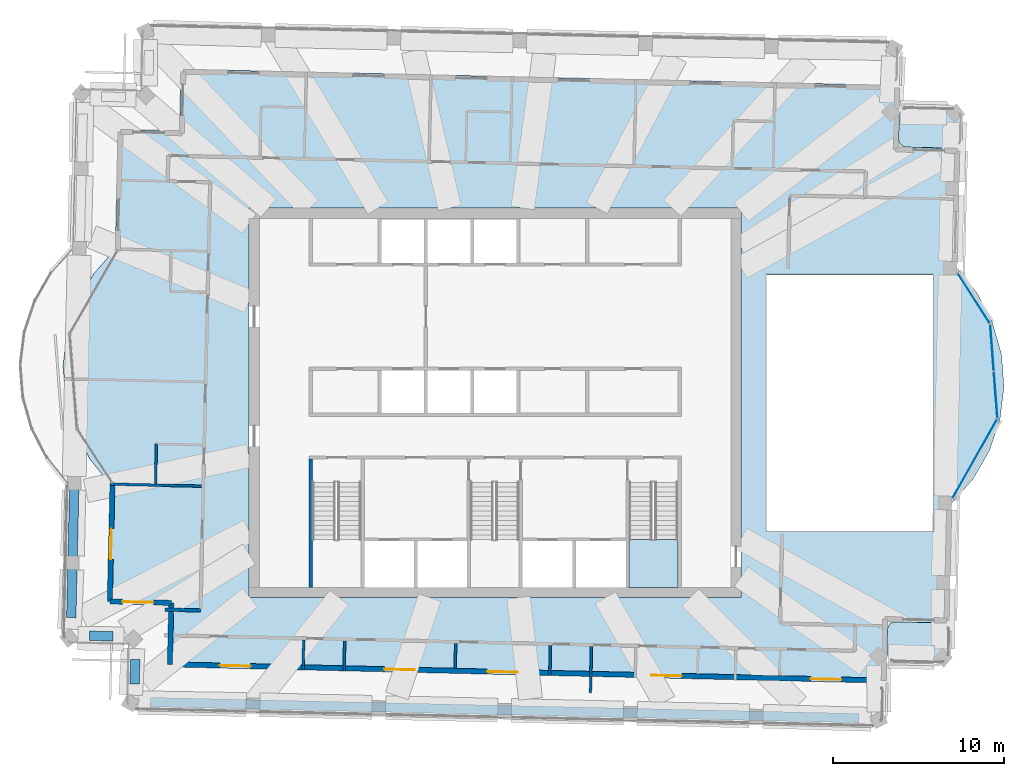
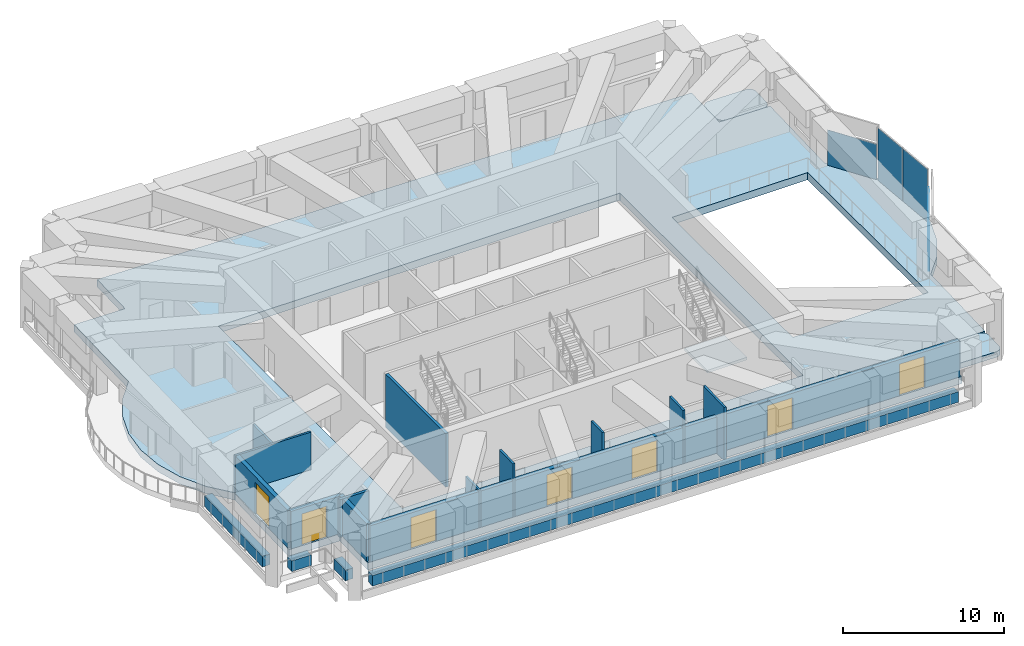
# One storey, part 8 of 19: 17 walls, 7 doors, 4 plates, 4 slabs, 7 openings, 4 elements without a shape of their own.
"""IFC4 building model written with IfcOpenShell, lengths in metres."""

from ifc_helpers import new_model, si_unit, direction, frame, frame_2d, origin, origin_2d, place, context, subcontext, project, spatial, polyline, rectangle, outline, extrude, material, layer, layer_set, type_object, element, fill, aggregate, save


model = new_model("IFC4")

# Units and contexts
model_context = context("Model", 3, precision=1e-05, world=origin(), true_north=direction((0.0, 1.0)))
body_context = subcontext(model_context, "Body", "Model", "MODEL_VIEW")
ifc_project = project(units=[si_unit("LENGTHUNIT", "METRE"), si_unit("AREAUNIT", "SQUARE_METRE"), si_unit("VOLUMEUNIT", "CUBIC_METRE"), si_unit("PLANEANGLEUNIT", "RADIAN"), si_unit("MASSUNIT", "GRAM", prefix="KILO")], contexts=[model_context])

# Site, building, storey
site_placement = place(None, origin())
site = spatial("IfcSite", under=ifc_project, at=site_placement, CompositionType="ELEMENT")
building_placement = place(site_placement, origin())
building = spatial("IfcBuilding", under=site, at=building_placement, Name="Mangrove Gate Tower", CompositionType="ELEMENT")
storey_placement = place(building_placement, frame((0.0, 0.0, 346.10009765625)))
storey = spatial("IfcBuildingStorey", under=building, at=storey_placement, Name="L88", CompositionType="ELEMENT", Elevation=346.10009765625)

# Stair, slab
ifc_material_1 = material(Name="Concrete C40/50", Category="concrete")
stair_type = type_object("IfcStairType", Name="Core stair 1350", PredefinedType="HALF_TURN_STAIR", material=ifc_material_1)
stair_placement = place(storey_placement, origin())
stair = element("IfcStair", 1, at=stair_placement, inside=storey, type_object=stair_type, Name="L88 Stair 3", PredefinedType="HALF_TURN_STAIR")
ifc_material_2 = material(Name="Concrete C40/50", Category="concrete")
ifc_layer_1 = layer(ifc_material_2, 0.199951171875)
ifc_layer_set_1 = layer_set([ifc_layer_1], Name="Core stair landing 200")
slab_type_1 = type_object("IfcSlabType", Name="Core stair landing 200", PredefinedType="LANDING", material=ifc_layer_set_1)
slab_1_placement = place(storey_placement, frame((0.0, 0.0, 2.099853515625)))
slab_1 = element("IfcSlab", 2, at=slab_1_placement, type_object=slab_type_1, Name="ST3 landing 1", PredefinedType="LANDING", context=body_context, shape_type="SweptSolid", body=[
    extrude(outline(polyline([(7.85009765625, -8.010009765625), (7.85009765625, -10.800048828125), (10.699951171875, -10.800048828125), (10.699951171875, -8.010009765625), (7.85009765625, -8.010009765625)])), origin(), (0.0, 0.0, 1.0), 0.199951171875),
])
aggregate(stair, [slab_1])

# Curtain wall, plate
ifc_material_3 = material(Name="Aluminium and glass curtain wall", Category="aluminium")
curtain_wall_type = type_object("IfcCurtainWallType", Name="Crown garden glazing wall", PredefinedType="NOTDEFINED", material=ifc_material_3)
curtain_wall_1_placement = place(storey_placement, origin())
curtain_wall_1 = element("IfcCurtainWall", 3, at=curtain_wall_1_placement, inside=storey, type_object=curtain_wall_type, Name="Crown garden glazing E1f1", PredefinedType="NOTDEFINED")
ifc_material_4 = material(Name="Laminated low-e glass", Category="glass")
ifc_layer_2 = layer(ifc_material_4, 0.02587890625)
ifc_layer_set_2 = layer_set([ifc_layer_2], Name="Crown garden glazing panel 26")
plate_type = type_object("IfcPlateType", Name="Crown garden glazing panel 26", PredefinedType="CURTAIN_PANEL", material=ifc_layer_set_2)
plate_1_placement = place(storey_placement, frame((28.081787109375, -3.276123046875, 0.0), z_axis=(0.0, 0.0, 1.0), x_axis=(0.49256575687, 0.870275229545, 0.0)))
plate_1 = element("IfcPlate", 4, at=plate_1_placement, type_object=plate_type, Name="CWC panel 1.1", PredefinedType="CURTAIN_PANEL", context=body_context, shape_type="SweptSolid", body=[
    extrude(rectangle(XDim=5.277587890625, YDim=0.02587890625, at=origin_2d()), origin(), (0.0, 0.0, 1.0), 2.68994140625),
])
aggregate(curtain_wall_1, [plate_1])

# Curtain wall, plates
curtain_wall_2_placement = place(storey_placement, origin())
curtain_wall_2 = element("IfcCurtainWall", 5, at=curtain_wall_2_placement, inside=storey, type_object=curtain_wall_type, Name="Crown garden glazing E1f2", PredefinedType="NOTDEFINED")
plate_2_placement = place(storey_placement, frame((29.302734375, 0.4765625, 0.0), z_axis=(0.0, 0.0, 1.0), x_axis=(-0.077023348386, 0.997029289341, 0.0)))
plate_2 = element("IfcPlate", 6, at=plate_2_placement, type_object=plate_type, Name="CWC panel 1.1", PredefinedType="CURTAIN_PANEL", context=body_context, shape_type="SweptSolid", body=[
    extrude(rectangle(XDim=2.69677734375, YDim=0.02587890625, at=origin_2d()), origin(), (0.0, 0.0, 1.0), 3.989990234375),
])
plate_3_placement = place(storey_placement, frame((29.09033203125, 3.22509765625, 0.0), z_axis=(0.0, 0.0, 1.0), x_axis=(-0.077023348386, 0.997029289341, 0.0)))
plate_3 = element("IfcPlate", 7, at=plate_3_placement, type_object=plate_type, Name="CWC panel 2.1", PredefinedType="CURTAIN_PANEL", context=body_context, shape_type="SweptSolid", body=[
    extrude(rectangle(XDim=2.69677734375, YDim=0.02587890625, at=origin_2d()), origin(), (0.0, 0.0, 1.0), 3.989990234375),
])
aggregate(curtain_wall_2, [plate_2, plate_3])

# Curtain wall, plate
curtain_wall_3_placement = place(storey_placement, origin())
curtain_wall_3 = element("IfcCurtainWall", 8, at=curtain_wall_3_placement, inside=storey, type_object=curtain_wall_type, Name="Crown garden glazing E1f3", PredefinedType="NOTDEFINED")
plate_4_placement = place(storey_placement, frame((28.017578125, 6.13037109375, 0.0), z_axis=(0.0, 0.0, 1.0), x_axis=(-0.540496129899, 0.841346500299, 0.0)))
plate_4 = element("IfcPlate", 9, at=plate_4_placement, type_object=plate_type, Name="CWC panel 1.1", PredefinedType="CURTAIN_PANEL", context=body_context, shape_type="SweptSolid", body=[
    extrude(rectangle(XDim=3.447998046875, YDim=0.02587890625, at=origin_2d()), origin(), (0.0, 0.0, 1.0), 2.68994140625),
])
aggregate(curtain_wall_3, [plate_4])

# Slabs
ifc_material_5 = material(Name="Concrete C40/50", Category="concrete")
ifc_layer_3 = layer(ifc_material_5, 0.550048828125)
ifc_layer_set_3 = layer_set([ifc_layer_3], Name="Floor slab 550 C40/50")
slab_type_2 = type_object("IfcSlabType", Name="Floor slab 550 C40/50", PredefinedType="FLOOR", material=ifc_layer_set_3)
slab_2_placement = place(storey_placement, frame((0.0, 0.0, -0.550048828125)))
element("IfcSlab", 10, at=slab_2_placement, inside=storey, type_object=slab_type_2, Name="Floor slab L88", PredefinedType="FLOOR", context=body_context, shape_type="SweptSolid", body=[
    extrude(outline(polyline([(-19.192626953125, -15.455322265625), (22.896484375, -16.410400390625), (22.978271484375, -12.811279296875), (26.577392578125, -12.89306640625), (26.736572265625, -5.8701171875), (27.999755859375, -4.43359375), (28.952880859375, -2.775146484375), (29.558349609375, -0.9609375), (29.7919921875, 0.9375), (29.64453125, 2.8447265625), (29.1220703125, 4.684814453125), (28.2451171875, 6.384521484375), (27.048583984375, 7.876953125), (27.2080078125, 14.89990234375), (23.60888671875, 14.9814453125), (23.690673828125, 18.58056640625), (-18.3984375, 19.53564453125), (-18.480224609375, 15.9365234375), (-22.079345703125, 16.018310546875), (-22.23876953125, 8.995361328125), (-23.501708984375, 7.558837890625), (-24.454833984375, 5.900634765625), (-25.060302734375, 4.086181640625), (-25.2939453125, 2.187744140625), (-25.146484375, 0.280517578125), (-24.6240234375, -1.559326171875), (-23.7470703125, -3.25927734375), (-22.550537109375, -4.751708984375), (-22.7099609375, -11.7744140625), (-19.11083984375, -11.856201171875), (-19.192626953125, -15.455322265625)]), holes=[polyline([(15.89990234375, 7.5), (25.623046875, 7.5), (25.623046875, -7.5), (15.89990234375, -7.5), (15.89990234375, 7.5)]), polyline([(-14.39990234375, -11.39990234375), (-14.39990234375, 11.39990234375), (14.39990234375, 11.39990234375), (14.39990234375, -11.39990234375), (-14.39990234375, -11.39990234375)])]), origin(), (0.0, 0.0, 1.0), 0.550048828125),
])
ifc_material_6 = material(Name="Granite", Category="masonry")
ifc_layer_4 = layer(ifc_material_6, 0.030029296875, Name="Granite paving")
ifc_material_7 = material(Name="Cement sand screed")
ifc_layer_5 = layer(ifc_material_7, 0.0400390625, Name="Bedding screed")
ifc_material_8 = material(Name="Bituminous waterproofing membrane")
ifc_layer_6 = layer(ifc_material_8, 0.0048828125, Name="Waterproofing")
ifc_material_9 = material(Name="Extruded polystyrene insulation")
ifc_layer_7 = layer(ifc_material_9, 0.0400390625, Name="Insulation")
ifc_material_10 = material(Name="Concrete C40/50", Category="concrete")
ifc_layer_8 = layer(ifc_material_10, 0.304931640625, Name="Terrace structural slab")
ifc_layer_set_4 = layer_set([ifc_layer_4, ifc_layer_5, ifc_layer_6, ifc_layer_7, ifc_layer_8], Name="Terrace slab C40/50")
slab_type_3 = type_object("IfcSlabType", Name="Terrace slab C40/50", PredefinedType="FLOOR", material=ifc_layer_set_4)
slab_3_placement = place(storey_placement, frame((0.0, 0.0, -0.420166015625)))
element("IfcSlab", 11, at=slab_3_placement, inside=storey, type_object=slab_type_3, Name="TERRACE L88 1", PredefinedType="FLOOR", context=body_context, shape_type="SweptSolid", body=[
    extrude(outline(polyline([(26.760009765625, 17.2109375), (24.160888671875, 17.27001953125), (24.112060546875, 17.26806640625), (24.06298828125, 17.261962890625), (24.014892578125, 17.2509765625), (23.968994140625, 17.236083984375), (23.924072265625, 17.216064453125), (23.881103515625, 17.19189453125), (23.841064453125, 17.1630859375), (23.803955078125, 17.131103515625), (23.77001953125, 17.095947265625), (23.739990234375, 17.056884765625), (23.714111328125, 17.014892578125), (23.69189453125, 16.970947265625), (23.675048828125, 16.926025390625), (23.662109375, 16.8779296875), (23.653076171875, 16.830078125), (23.64990234375, 16.781005859375), (23.6201171875, 15.48095703125), (23.6220703125, 15.431884765625), (23.6279296875, 15.384033203125), (23.638916015625, 15.3359375), (23.654052734375, 15.2890625), (23.674072265625, 15.243896484375), (23.697998046875, 15.201904296875), (23.72705078125, 15.162109375), (23.759033203125, 15.125), (23.7939453125, 15.091064453125), (23.8330078125, 15.06103515625), (23.875, 15.034912109375), (23.91796875, 15.012939453125), (23.964111328125, 14.9951171875), (24.011962890625, 14.98193359375), (24.06005859375, 14.97412109375), (24.10888671875, 14.969970703125), (26.7080078125, 14.910888671875), (26.757080078125, 14.912109375), (26.805908203125, 14.9189453125), (26.85400390625, 14.928955078125), (26.89990234375, 14.945068359375), (26.945068359375, 14.965087890625), (26.988037109375, 14.989013671875), (27.028076171875, 15.01708984375), (27.06494140625, 15.050048828125), (27.09912109375, 15.0849609375), (27.12890625, 15.1240234375), (27.155029296875, 15.1650390625), (27.177001953125, 15.208984375), (27.195068359375, 15.2548828125), (27.2080078125, 15.302001953125), (27.216064453125, 15.35107421875), (27.218994140625, 15.39990234375), (27.2490234375, 16.698974609375), (27.248046875, 16.748046875), (27.240966796875, 16.797119140625), (27.23095703125, 16.844970703125), (27.215087890625, 16.89208984375), (27.195068359375, 16.93603515625), (27.1708984375, 16.97900390625), (27.14306640625, 17.01904296875), (27.110107421875, 17.055908203125), (27.074951171875, 17.090087890625), (27.035888671875, 17.1201171875), (26.9951171875, 17.14599609375), (26.950927734375, 17.16796875), (26.905029296875, 17.18603515625), (26.85791015625, 17.198974609375), (26.80908203125, 17.20703125), (26.760009765625, 17.2109375)])), origin(), (0.0, 0.0, 1.0), 0.420166015625),
])
slab_4_placement = place(storey_placement, frame((0.0, 0.0, -0.420166015625)))
element("IfcSlab", 12, at=slab_4_placement, inside=storey, type_object=slab_type_3, Name="TERRACE L88 2", PredefinedType="FLOOR", context=body_context, shape_type="SweptSolid", body=[
    extrude(outline(polyline([(26.535888671875, -14.693115234375), (26.56591796875, -13.39306640625), (26.56494140625, -13.343994140625), (26.55908203125, -13.294921875), (26.548095703125, -13.2470703125), (26.531982421875, -13.200927734375), (26.511962890625, -13.156005859375), (26.488037109375, -13.113037109375), (26.4599609375, -13.072998046875), (26.427978515625, -13.035888671875), (26.39208984375, -13.001953125), (26.35302734375, -12.971923828125), (26.31201171875, -12.946044921875), (26.26806640625, -12.924072265625), (26.221923828125, -12.906005859375), (26.175048828125, -12.89306640625), (26.1259765625, -12.885009765625), (26.076904296875, -12.882080078125), (23.47802734375, -12.822998046875), (23.428955078125, -12.823974609375), (23.3798828125, -12.830078125), (23.3330078125, -12.841064453125), (23.285888671875, -12.85595703125), (23.240966796875, -12.8759765625), (23.197998046875, -12.90087890625), (23.157958984375, -12.928955078125), (23.12109375, -12.9609375), (23.087890625, -12.9970703125), (23.056884765625, -13.034912109375), (23.031005859375, -13.076904296875), (23.009033203125, -13.12109375), (22.991943359375, -13.1669921875), (22.97900390625, -13.214111328125), (22.969970703125, -13.261962890625), (22.967041015625, -13.31103515625), (22.93701171875, -14.611083984375), (22.93896484375, -14.659912109375), (22.945068359375, -14.708984375), (22.9560546875, -14.756103515625), (22.970947265625, -14.802978515625), (22.990966796875, -14.847900390625), (23.014892578125, -14.889892578125), (23.0439453125, -14.930908203125), (23.075927734375, -14.968017578125), (23.111083984375, -15.0009765625), (23.14990234375, -15.031982421875), (23.19189453125, -15.05810546875), (23.235107421875, -15.080078125), (23.281005859375, -15.096923828125), (23.3291015625, -15.110107421875), (23.376953125, -15.118896484375), (23.426025390625, -15.1220703125), (26.02490234375, -15.180908203125), (26.073974609375, -15.179931640625), (26.123046875, -15.174072265625), (26.1708984375, -15.1630859375), (26.217041015625, -15.14697265625), (26.261962890625, -15.126953125), (26.304931640625, -15.10302734375), (26.344970703125, -15.074951171875), (26.382080078125, -15.04296875), (26.416015625, -15.007080078125), (26.446044921875, -14.968017578125), (26.471923828125, -14.927001953125), (26.493896484375, -14.883056640625), (26.511962890625, -14.8369140625), (26.52490234375, -14.7900390625), (26.532958984375, -14.740966796875), (26.535888671875, -14.693115234375)])), origin(), (0.0, 0.0, 1.0), 0.420166015625),
])

# Walls
ifc_material_11 = material(Name="Concrete C50/60", Category="concrete")
ifc_layer_9 = layer(ifc_material_11, 0.199951171875)
ifc_layer_set_5 = layer_set([ifc_layer_9], Name="Core stair wall 200 C50/60")
wall_type_1 = type_object("IfcWallType", Name="Core stair wall 200 C50/60", PredefinedType="SHEAR", material=ifc_layer_set_5)
wall_1_placement = place(storey_placement, frame((-10.800048828125, -10.800048828125, 0.0), z_axis=(0.0, 0.0, 1.0), x_axis=(0.0, 1.0, 0.0)))
element("IfcWall", 13, at=wall_1_placement, inside=storey, type_object=wall_type_1, Name="WALL-L88-CORE-9", PredefinedType="SHEAR", context=body_context, shape_type="SweptSolid", body=[
    extrude(rectangle(XDim=7.5, YDim=0.199951171875, at=frame_2d((3.75, 0.0))), origin(), (0.0, 0.0, 1.0), 4.0498046875),
])
ifc_material_12 = material(Name="Gypsum board on steel stud, EI 60", Category="steel")
ifc_layer_10 = layer(ifc_material_12, 0.199951171875)
ifc_layer_set_6 = layer_set([ifc_layer_10], Name="Corridor wall EI 60")
wall_type_2 = type_object("IfcWallType", Name="Corridor wall EI 60", PredefinedType="PARTITIONING", material=ifc_layer_set_6)
wall_2_placement = place(storey_placement, frame((-19.31689453125, -12.10205078125, 0.0), z_axis=(0.0, 0.0, 1.0), x_axis=(0.999743416711, -0.022651727166, 0.0)))
element("IfcWall", 14, at=wall_2_placement, inside=storey, type_object=wall_type_2, Name="WALL-L88-012", PredefinedType="PARTITIONING", context=body_context, shape_type="SweptSolid", body=[
    extrude(rectangle(XDim=2.0693359375, YDim=0.199951171875, at=frame_2d((1.03466796875, 0.0))), origin(), (0.0, 0.0, 1.0), 2.849853515625),
])

# Wall, opening, door
ifc_material_13 = material(Name="Limestone", Category="masonry")
ifc_layer_11 = layer(ifc_material_13, 0.0400390625, Name="Limestone cladding")
ifc_material_14 = material(Name="Ventilated air gap")
ifc_layer_12 = layer(ifc_material_14, 0.0400390625, Name="Ventilated cavity")
ifc_material_15 = material(Name="Mineral wool insulation")
ifc_layer_13 = layer(ifc_material_15, 0.06005859375, Name="Insulation")
ifc_material_16 = material(Name="Breather membrane")
ifc_layer_14 = layer(ifc_material_16, 0.001953125, Name="Breather membrane")
ifc_material_17 = material(Name="Concrete C20/25 blockwork", Category="masonry")
ifc_layer_15 = layer(ifc_material_17, 0.14990234375, Name="Blockwork backing wall")
ifc_material_18 = material(Name="Gypsum plaster")
ifc_layer_16 = layer(ifc_material_18, 0.008056640625, Name="Internal plaster")
ifc_layer_set_7 = layer_set([ifc_layer_11, ifc_layer_12, ifc_layer_13, ifc_layer_14, ifc_layer_15, ifc_layer_16], Name="External wall 300 limestone cladding")
wall_type_3 = type_object("IfcWallType", Name="External wall 300 limestone cladding", PredefinedType="SOLIDWALL", material=ifc_layer_set_7)
wall_3_placement = place(storey_placement, frame((-22.39892578125, -4.699951171875, 0.0), z_axis=(0.0, 0.0, 1.0), x_axis=(-0.022794231068, -0.999740177761, 0.0)))
wall_3 = element("IfcWall", 15, at=wall_3_placement, inside=storey, type_object=wall_type_3, Name="WALL-L88-W10", PredefinedType="SOLIDWALL", context=body_context, shape_type="SweptSolid", body=[
    extrude(rectangle(XDim=6.9296875, YDim=0.300048828125, at=frame_2d((3.46484375, 0.0))), origin(), (0.0, 0.0, 1.0), 2.849853515625),
])
opening_1_placement = place(wall_3_placement, frame((2.6669921875, 0.0, 0.0)))
opening_1 = element("IfcOpeningElement", 16, at=opening_1_placement, cuts=wall_3, Name="Opening TD1", PredefinedType="OPENING", context=body_context, shape_type="SweptSolid", body=[
    extrude(rectangle(XDim=1.800048828125, YDim=2.39990234375, at=frame_2d((0.89990234375, 1.199951171875))), frame((0.0, 0.159912109375, 0.0), z_axis=(0.0, -1.0, 0.0), x_axis=(1.0, 0.0, 0.0)), (0.0, 0.0, 1.0), 0.320068359375),
])
ifc_material_19 = material(Name="Aluminium frame with laminated clear glass", Category="aluminium")
door_type = type_object("IfcDoorType", Name="Terrace door 1800x2400", OperationType="DOUBLE_DOOR_SINGLE_SWING", PredefinedType="DOOR", material=ifc_material_19)
door_1_placement = place(opening_1_placement, origin())
door_1 = element("IfcDoor", 17, at=door_1_placement, inside=storey, type_object=door_type, Name="DOOR-L88-W10-1", OperationType="DOUBLE_DOOR_SINGLE_SWING", OverallHeight=2.39990234375, OverallWidth=1.800048828125, PredefinedType="DOOR", context=body_context, shape_type="SweptSolid", body=[
    extrude(rectangle(XDim=1.800048828125, YDim=2.39990234375, at=frame_2d((0.89990234375, 1.199951171875))), frame((0.0, 0.02490234375, 0.0), z_axis=(0.0, -1.0, 0.0), x_axis=(1.0, 0.0, 0.0)), (0.0, 0.0, 1.0), 0.050048828125),
])
fill(opening_1, door_1)

wall_4_placement = place(storey_placement, frame((-22.556884765625, -11.6279296875, 0.0), z_axis=(0.0, 0.0, 1.0), x_axis=(0.999740327787, -0.022787650101, 0.0)))
wall_4 = element("IfcWall", 18, at=wall_4_placement, inside=storey, type_object=wall_type_3, Name="WALL-L88-S11", PredefinedType="SOLIDWALL", context=body_context, shape_type="SweptSolid", body=[
    extrude(rectangle(XDim=3.599853515625, YDim=0.300048828125, at=frame_2d((1.7998046875, 0.0))), origin(), (0.0, 0.0, 1.0), 2.849853515625),
])
opening_2_placement = place(wall_4_placement, frame((0.75, 0.0, 0.0)))
opening_2 = element("IfcOpeningElement", 19, at=opening_2_placement, cuts=wall_4, Name="Opening TD1", PredefinedType="OPENING", context=body_context, shape_type="SweptSolid", body=[
    extrude(rectangle(XDim=1.800048828125, YDim=2.39990234375, at=frame_2d((0.89990234375, 1.199951171875))), frame((0.0, 0.159912109375, 0.0), z_axis=(0.0, -1.0, 0.0), x_axis=(1.0, 0.0, 0.0)), (0.0, 0.0, 1.0), 0.320068359375),
])
door_2_placement = place(opening_2_placement, origin())
door_2 = element("IfcDoor", 20, at=door_2_placement, inside=storey, type_object=door_type, Name="DOOR-L88-S11-1", OperationType="DOUBLE_DOOR_SINGLE_SWING", OverallHeight=2.39990234375, OverallWidth=1.800048828125, PredefinedType="DOOR", context=body_context, shape_type="SweptSolid", body=[
    extrude(rectangle(XDim=1.800048828125, YDim=2.39990234375, at=frame_2d((0.89990234375, 1.199951171875))), frame((0.0, 0.02490234375, 0.0), z_axis=(0.0, -1.0, 0.0), x_axis=(1.0, 0.0, 0.0)), (0.0, 0.0, 1.0), 0.050048828125),
])
fill(opening_2, door_2)

# Wall
wall_5_placement = place(storey_placement, frame((-18.9580078125, -11.7099609375, 0.0), z_axis=(0.0, 0.0, 1.0), x_axis=(-0.022514980321, -0.999746505701, 0.0)))
element("IfcWall", 21, at=wall_5_placement, inside=storey, type_object=wall_type_3, Name="WALL-L88-W12", PredefinedType="SOLIDWALL", context=body_context, shape_type="SweptSolid", body=[
    extrude(rectangle(XDim=3.60009765625, YDim=0.300048828125, at=frame_2d((1.800048828125, 0.0))), origin(), (0.0, 0.0, 1.0), 2.849853515625),
])

# Wall, openings, doors
wall_6_placement = place(storey_placement, frame((-19.0390625, -15.30908203125, 0.0), z_axis=(0.0, 0.0, 1.0), x_axis=(0.999742787513, -0.022679480066, 0.0)))
wall_6 = element("IfcWall", 22, at=wall_6_placement, inside=storey, type_object=wall_type_3, Name="WALL-L88-S13", PredefinedType="SOLIDWALL", context=body_context, shape_type="SweptSolid", body=[
    extrude(rectangle(XDim=41.7998046875, YDim=0.300048828125, at=frame_2d((20.89990234375, 0.0))), origin(), (0.0, 0.0, 1.0), 2.75),
])
opening_3_placement = place(wall_6_placement, frame((2.925048828125, 0.0, 0.0)))
opening_3 = element("IfcOpeningElement", 23, at=opening_3_placement, cuts=wall_6, Name="Opening TD1", PredefinedType="OPENING", context=body_context, shape_type="SweptSolid", body=[
    extrude(rectangle(XDim=1.800048828125, YDim=2.39990234375, at=frame_2d((0.89990234375, 1.199951171875))), frame((0.0, 0.159912109375, 0.0), z_axis=(0.0, -1.0, 0.0), x_axis=(1.0, 0.0, 0.0)), (0.0, 0.0, 1.0), 0.320068359375),
])
opening_4_placement = place(wall_6_placement, frame((12.550048828125, 0.0, 0.0)))
opening_4 = element("IfcOpeningElement", 24, at=opening_4_placement, cuts=wall_6, Name="Opening TD1", PredefinedType="OPENING", context=body_context, shape_type="SweptSolid", body=[
    extrude(rectangle(XDim=1.800048828125, YDim=2.39990234375, at=frame_2d((0.89990234375, 1.199951171875))), frame((0.0, 0.159912109375, 0.0), z_axis=(0.0, -1.0, 0.0), x_axis=(1.0, 0.0, 0.0)), (0.0, 0.0, 1.0), 0.320068359375),
])
opening_5_placement = place(wall_6_placement, frame((18.574951171875, 0.0, 0.0)))
opening_5 = element("IfcOpeningElement", 25, at=opening_5_placement, cuts=wall_6, Name="Opening TD1", PredefinedType="OPENING", context=body_context, shape_type="SweptSolid", body=[
    extrude(rectangle(XDim=1.800048828125, YDim=2.39990234375, at=frame_2d((0.89990234375, 1.199951171875))), frame((0.0, 0.159912109375, 0.0), z_axis=(0.0, -1.0, 0.0), x_axis=(1.0, 0.0, 0.0)), (0.0, 0.0, 1.0), 0.320068359375),
])
opening_6_placement = place(wall_6_placement, frame((28.175048828125, 0.0, 0.0)))
opening_6 = element("IfcOpeningElement", 26, at=opening_6_placement, cuts=wall_6, Name="Opening TD1", PredefinedType="OPENING", context=body_context, shape_type="SweptSolid", body=[
    extrude(rectangle(XDim=1.800048828125, YDim=2.39990234375, at=frame_2d((0.89990234375, 1.199951171875))), frame((0.0, 0.159912109375, 0.0), z_axis=(0.0, -1.0, 0.0), x_axis=(1.0, 0.0, 0.0)), (0.0, 0.0, 1.0), 0.320068359375),
])
opening_7_placement = place(wall_6_placement, frame((37.52587890625, 0.0, 0.0)))
opening_7 = element("IfcOpeningElement", 27, at=opening_7_placement, cuts=wall_6, Name="Opening TD1", PredefinedType="OPENING", context=body_context, shape_type="SweptSolid", body=[
    extrude(rectangle(XDim=1.800048828125, YDim=2.39990234375, at=frame_2d((0.89990234375, 1.199951171875))), frame((0.0, 0.159912109375, 0.0), z_axis=(0.0, -1.0, 0.0), x_axis=(1.0, 0.0, 0.0)), (0.0, 0.0, 1.0), 0.320068359375),
])
door_3_placement = place(opening_3_placement, origin())
door_3 = element("IfcDoor", 28, at=door_3_placement, inside=storey, type_object=door_type, Name="DOOR-L88-S13-1", OperationType="DOUBLE_DOOR_SINGLE_SWING", OverallHeight=2.39990234375, OverallWidth=1.800048828125, PredefinedType="DOOR", context=body_context, shape_type="SweptSolid", body=[
    extrude(rectangle(XDim=1.800048828125, YDim=2.39990234375, at=frame_2d((0.89990234375, 1.199951171875))), frame((0.0, 0.02490234375, 0.0), z_axis=(0.0, -1.0, 0.0), x_axis=(1.0, 0.0, 0.0)), (0.0, 0.0, 1.0), 0.050048828125),
])
fill(opening_3, door_3)
door_4_placement = place(opening_4_placement, origin())
door_4 = element("IfcDoor", 29, at=door_4_placement, inside=storey, type_object=door_type, Name="DOOR-L88-S13-2", OperationType="DOUBLE_DOOR_SINGLE_SWING", OverallHeight=2.39990234375, OverallWidth=1.800048828125, PredefinedType="DOOR", context=body_context, shape_type="SweptSolid", body=[
    extrude(rectangle(XDim=1.800048828125, YDim=2.39990234375, at=frame_2d((0.89990234375, 1.199951171875))), frame((0.0, 0.02490234375, 0.0), z_axis=(0.0, -1.0, 0.0), x_axis=(1.0, 0.0, 0.0)), (0.0, 0.0, 1.0), 0.050048828125),
])
fill(opening_4, door_4)
door_5_placement = place(opening_5_placement, origin())
door_5 = element("IfcDoor", 30, at=door_5_placement, inside=storey, type_object=door_type, Name="DOOR-L88-S13-3", OperationType="DOUBLE_DOOR_SINGLE_SWING", OverallHeight=2.39990234375, OverallWidth=1.800048828125, PredefinedType="DOOR", context=body_context, shape_type="SweptSolid", body=[
    extrude(rectangle(XDim=1.800048828125, YDim=2.39990234375, at=frame_2d((0.89990234375, 1.199951171875))), frame((0.0, 0.02490234375, 0.0), z_axis=(0.0, -1.0, 0.0), x_axis=(1.0, 0.0, 0.0)), (0.0, 0.0, 1.0), 0.050048828125),
])
fill(opening_5, door_5)
door_6_placement = place(opening_6_placement, origin())
door_6 = element("IfcDoor", 31, at=door_6_placement, inside=storey, type_object=door_type, Name="DOOR-L88-S13-4", OperationType="DOUBLE_DOOR_SINGLE_SWING", OverallHeight=2.39990234375, OverallWidth=1.800048828125, PredefinedType="DOOR", context=body_context, shape_type="SweptSolid", body=[
    extrude(rectangle(XDim=1.800048828125, YDim=2.39990234375, at=frame_2d((0.89990234375, 1.199951171875))), frame((0.0, 0.02490234375, 0.0), z_axis=(0.0, -1.0, 0.0), x_axis=(1.0, 0.0, 0.0)), (0.0, 0.0, 1.0), 0.050048828125),
])
fill(opening_6, door_6)
door_7_placement = place(opening_7_placement, origin())
door_7 = element("IfcDoor", 32, at=door_7_placement, inside=storey, type_object=door_type, Name="DOOR-L88-S13-5", OperationType="DOUBLE_DOOR_SINGLE_SWING", OverallHeight=2.39990234375, OverallWidth=1.800048828125, PredefinedType="DOOR", context=body_context, shape_type="SweptSolid", body=[
    extrude(rectangle(XDim=1.800048828125, YDim=2.39990234375, at=frame_2d((0.89990234375, 1.199951171875))), frame((0.0, 0.02490234375, 0.0), z_axis=(0.0, -1.0, 0.0), x_axis=(1.0, 0.0, 0.0)), (0.0, 0.0, 1.0), 0.050048828125),
])
fill(opening_7, door_7)

# Walls
ifc_material_20 = material(Name="Gypsum board on steel stud, EI 60", Category="steel")
ifc_layer_17 = layer(ifc_material_20, 0.14990234375)
ifc_layer_set_8 = layer_set([ifc_layer_17], Name="Party wall 150 EI 60")
wall_type_4 = type_object("IfcWallType", Name="Party wall 150 EI 60", PredefinedType="PARTITIONING", material=ifc_layer_set_8)
wall_7_placement = place(storey_placement, frame((5.5791015625, -16.971923828125, 0.0), z_axis=(0.0, 0.0, 1.0), x_axis=(0.022928507921, 0.999737107206, 0.0)))
element("IfcWall", 33, at=wall_7_placement, inside=storey, type_object=wall_type_4, Name="WALL-L88-001", PredefinedType="PARTITIONING", context=body_context, shape_type="SweptSolid", body=[
    extrude(rectangle(XDim=2.70458984375, YDim=0.14990234375, at=frame_2d((1.352294921875, 0.0))), origin(), (0.0, 0.0, 1.0), 4.0498046875),
])
wall_8_placement = place(storey_placement, frame((-11.2451171875, -15.639892578125, 0.0), z_axis=(0.0, 0.0, 1.0), x_axis=(0.022822561686, 0.999739531417, 0.0)))
element("IfcWall", 34, at=wall_8_placement, inside=storey, type_object=wall_type_4, Name="WALL-L88-002", PredefinedType="PARTITIONING", context=body_context, shape_type="SweptSolid", body=[
    extrude(rectangle(XDim=1.75439453125, YDim=0.14990234375, at=frame_2d((0.877197265625, 0.0))), origin(), (0.0, 0.0, 1.0), 2.849853515625),
])
wall_9_placement = place(storey_placement, frame((-8.844970703125, -15.694091796875, 0.0), z_axis=(0.0, 0.0, 1.0), x_axis=(0.022275490778, 0.999751870471, 0.0)))
element("IfcWall", 35, at=wall_9_placement, inside=storey, type_object=wall_type_4, Name="WALL-L88-003", PredefinedType="PARTITIONING", context=body_context, shape_type="SweptSolid", body=[
    extrude(rectangle(XDim=1.753662109375, YDim=0.14990234375, at=frame_2d((0.876953125, 0.0))), origin(), (0.0, 0.0, 1.0), 4.0498046875),
])
wall_10_placement = place(storey_placement, frame((3.201904296875, -15.967041015625, 0.0), z_axis=(0.0, 0.0, 1.0), x_axis=(0.022278591674, 0.999751801375, 0.0)))
element("IfcWall", 36, at=wall_10_placement, inside=storey, type_object=wall_type_4, Name="WALL-L88-004", PredefinedType="PARTITIONING", context=body_context, shape_type="SweptSolid", body=[
    extrude(rectangle(XDim=1.75341796875, YDim=0.14990234375, at=frame_2d((0.876708984375, 0.0))), origin(), (0.0, 0.0, 1.0), 4.0498046875),
])
wall_11_placement = place(storey_placement, frame((-2.340087890625, -15.5380859375, 0.0), z_axis=(0.0, 0.0, 1.0), x_axis=(0.022889624202, 0.999737998229, 0.0)))
element("IfcWall", 37, at=wall_11_placement, inside=storey, type_object=wall_type_4, Name="WALL-L88-007", PredefinedType="PARTITIONING", context=body_context, shape_type="SweptSolid", body=[
    extrude(rectangle(XDim=1.45068359375, YDim=0.14990234375, at=frame_2d((0.725341796875, 0.0))), origin(), (0.0, 0.0, 1.0), 4.0498046875),
])
wall_12_placement = place(storey_placement, frame((-22.551025390625, -4.756103515625, 0.0), z_axis=(0.0, 0.0, 1.0), x_axis=(0.999742562735, -0.022689386401, 0.0)))
element("IfcWall", 38, at=wall_12_placement, inside=storey, type_object=wall_type_4, Name="WALL-L88-017", PredefinedType="PARTITIONING", context=body_context, shape_type="SweptSolid", body=[
    extrude(rectangle(XDim=5.369384765625, YDim=0.14990234375, at=frame_2d((2.6845703125, 0.0))), origin(), (0.0, 0.0, 1.0), 2.849853515625),
])
wall_13_placement = place(storey_placement, frame((-19.8798828125, -4.737060546875, 0.0), z_axis=(0.0, 0.0, 1.0), x_axis=(0.02279059109, 0.999740260747, 0.0)))
element("IfcWall", 39, at=wall_13_placement, inside=storey, type_object=wall_type_4, Name="WALL-L88-018", PredefinedType="PARTITIONING", context=body_context, shape_type="SweptSolid", body=[
    extrude(rectangle(XDim=2.324462890625, YDim=0.14990234375, at=frame_2d((1.162109375, 0.0))), origin(), (0.0, 0.0, 1.0), 2.849853515625),
])
ifc_material_21 = material(Name="Concrete C32/40", Category="concrete")
ifc_layer_18 = layer(ifc_material_21, 0.199951171875, Name="Planter trough wall")
ifc_layer_19 = layer(ifc_material_8, 0.0048828125, Name="Waterproofing")
ifc_material_22 = material(Name="Drainage board and gravel")
ifc_layer_20 = layer(ifc_material_22, 0.044921875, Name="Drainage layer")
ifc_material_23 = material(Name="Planting soil")
ifc_layer_21 = layer(ifc_material_23, 0.300048828125, Name="Growing medium")
ifc_layer_set_9 = layer_set([ifc_layer_18, ifc_layer_19, ifc_layer_20, ifc_layer_21], Name="Planter wall 550 C32/40")
wall_type_5 = type_object("IfcWallType", Name="Planter wall 550 C32/40", PredefinedType="USERDEFINED", material=ifc_layer_set_9)
wall_14_placement = place(storey_placement, frame((21.300048828125, -18.4599609375, 0.0), z_axis=(0.0, 0.0, 1.0), x_axis=(-0.9997424153, 0.022695881785, 0.0)))
element("IfcWall", 40, at=wall_14_placement, inside=storey, type_object=wall_type_5, Name="PLANTER L88 T3.6.6", ObjectType="PLANTER", PredefinedType="USERDEFINED", context=body_context, shape_type="SweptSolid", body=[
    extrude(rectangle(XDim=41.500732421875, YDim=0.550048828125, at=frame_2d((20.75048828125, 0.0))), origin(), (0.0, 0.0, 1.0), 0.7998046875),
])
wall_15_placement = place(storey_placement, frame((-21.10107421875, -16.4619140625, 0.0), z_axis=(0.0, 0.0, 1.0), x_axis=(0.022250691026, 0.999752422727, 0.0)))
element("IfcWall", 41, at=wall_15_placement, inside=storey, type_object=wall_type_5, Name="PLANTER L88 T3.7.6", ObjectType="PLANTER", PredefinedType="USERDEFINED", context=body_context, shape_type="SweptSolid", body=[
    extrude(rectangle(XDim=1.437255859375, YDim=0.550048828125, at=frame_2d((0.71875, 0.0))), origin(), (0.0, 0.0, 1.0), 0.7998046875),
])
wall_16_placement = place(storey_placement, frame((-22.364990234375, -13.66796875, 0.0), z_axis=(0.0, 0.0, 1.0), x_axis=(-0.999750215708, 0.022349635169, 0.0)))
element("IfcWall", 42, at=wall_16_placement, inside=storey, type_object=wall_type_5, Name="PLANTER L88 T3.7.9", ObjectType="PLANTER", PredefinedType="USERDEFINED", context=body_context, shape_type="SweptSolid", body=[
    extrude(rectangle(XDim=1.38720703125, YDim=0.550048828125, at=frame_2d((0.693603515625, 0.0))), origin(), (0.0, 0.0, 1.0), 0.7998046875),
])
wall_17_placement = place(storey_placement, frame((-24.81298828125, -12.576904296875, 0.0), z_axis=(0.0, 0.0, 1.0), x_axis=(0.022620263121, 0.999744129113, 0.0)))
element("IfcWall", 43, at=wall_17_placement, inside=storey, type_object=wall_type_5, Name="PLANTER L88 T3.8.6", ObjectType="PLANTER", PredefinedType="USERDEFINED", context=body_context, shape_type="SweptSolid", body=[
    extrude(rectangle(XDim=7.511962890625, YDim=0.550048828125, at=frame_2d((3.755859375, 0.0))), origin(), (0.0, 0.0, 1.0), 0.7998046875),
])

save(model, "model.ifc")
